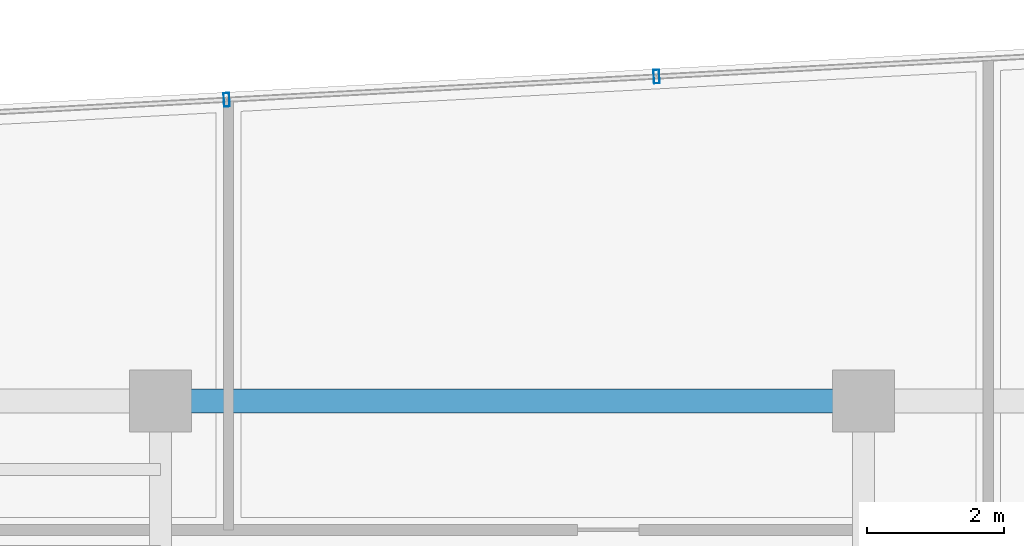
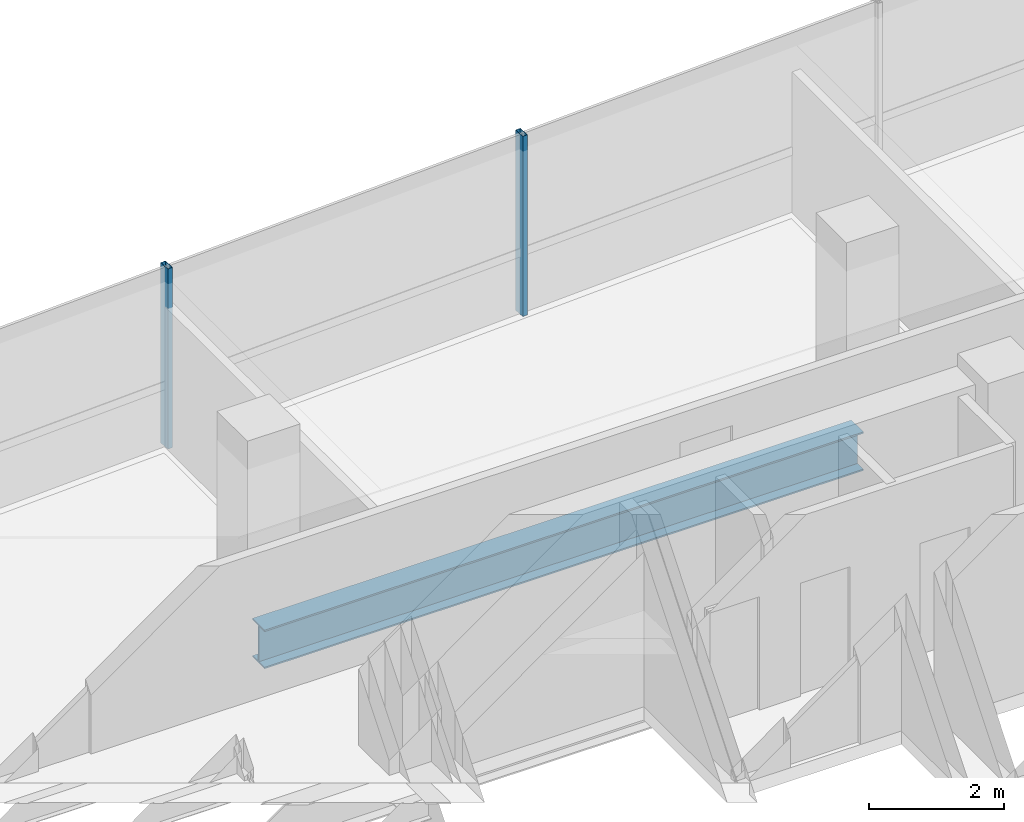
# One storey, part 13 of 21: 2 members, 1 beam, 1 element without a shape of its own.
"""IFC4 building model written with IfcOpenShell, lengths in metres."""

from ifc_helpers import new_model, si_unit, direction, frame, origin, origin_2d, place, context, subcontext, project, spatial, hollow_rectangle, i_section, extrude, source, transform, mapped, material, material_profile, profile_set, type_object, element, aggregate, save


model = new_model("IFC4")

# Units and contexts
model_context = context("Model", 3, precision=1e-05, world=origin(), true_north=direction((0.0, 1.0)))
body_context = subcontext(model_context, "Body", "Model", "MODEL_VIEW")
ifc_project = project(units=[si_unit("LENGTHUNIT", "METRE"), si_unit("AREAUNIT", "SQUARE_METRE"), si_unit("VOLUMEUNIT", "CUBIC_METRE"), si_unit("PLANEANGLEUNIT", "RADIAN"), si_unit("MASSUNIT", "GRAM", prefix="KILO")], contexts=[model_context])

# Site, building, storey
site_placement = place(None, origin())
site = spatial("IfcSite", under=ifc_project, at=site_placement, CompositionType="ELEMENT")
building_placement = place(site_placement, origin())
building = spatial("IfcBuilding", under=site, at=building_placement, Name="Valdorenza Pilgrim Sanctuary Tower", CompositionType="ELEMENT")
storey_placement = place(building_placement, frame((0.0, 0.0, 223.0)))
storey = spatial("IfcBuildingStorey", under=building, at=storey_placement, Name="L57", CompositionType="ELEMENT", Elevation=223.0)

# Beam
ifc_material_1 = material(Name="Steel ASTM A992 Grade 50", Category="steel")
ifc_material_profile_1 = material_profile(ifc_material_1, i_section(OverallWidth=0.35595703125, OverallDepth=0.700927734375, WebThickness=0.016845703125, FlangeThickness=0.02734375, at=origin_2d()), Name="W27X161")
ifc_profile_set_1 = profile_set([ifc_material_profile_1], Name="Steel ASTM A992 Grade 50")
beam_type = type_object("IfcBeamType", Name="STR-BM-GRD-W27", PredefinedType="BEAM", material=ifc_profile_set_1)
shared_shape_1 = source(origin(), body_context, "Body", "SweptSolid", [
    extrude(i_section(OverallWidth=0.35595703125, OverallDepth=0.700927734375, WebThickness=0.016845703125, FlangeThickness=0.02734375, at=origin_2d()), origin(), (0.0, 0.0, 1.0), 10.25),
])
beam_placement = place(storey_placement, frame((-22.64990234375, 14.800048828125, -0.590576171875), z_axis=(1.0, 0.0, 0.0), x_axis=(0.0, 1.0, 0.0)))
element("IfcBeam", 1, at=beam_placement, inside=storey, type_object=beam_type, Name="L57 Floor Girder CA-XC-N2", PredefinedType="BEAM", context=body_context, shape_type="MappedRepresentation", body=[
    mapped(shared_shape_1, transform((0.0, 0.0, 0.0), x_axis=(1.0, 0.0, 0.0), y_axis=(0.0, 1.0, 0.0), z_axis=(0.0, 0.0, 1.0), scale=1.0)),
])

# Curtain wall, members
ifc_material_2 = material(Name="Curtain-wall IGU glazing", Category="glass")
curtain_wall_type = type_object("IfcCurtainWallType", Name="CW-SYS-02", PredefinedType="NOTDEFINED", material=ifc_material_2)
curtain_wall_placement = place(storey_placement, origin())
curtain_wall = element("IfcCurtainWall", 2, at=curtain_wall_placement, inside=storey, type_object=curtain_wall_type, Name="L57 Curtain Wall CW-L57-1-6", PredefinedType="NOTDEFINED")
ifc_material_3 = material(Name="Anodised aluminium AW-6060", Category="aluminium")
ifc_material_profile_2 = material_profile(ifc_material_3, hollow_rectangle(XDim=0.0849609375, YDim=0.199951171875, WallThickness=0.0048828125, at=origin_2d()), Name="ALU-M 200x85x5")
ifc_profile_set_2 = profile_set([ifc_material_profile_2], Name="Anodised aluminium AW-6060")
member_type = type_object("IfcMemberType", Name="CW-MUL-02", PredefinedType="MULLION", material=ifc_profile_set_2)
shared_shape_2 = source(origin(), body_context, "Body", "SweptSolid", [
    extrude(hollow_rectangle(XDim=0.0849609375, YDim=0.199951171875, WallThickness=0.0048828125, at=origin_2d()), origin(), (0.0, 0.0, 1.0), 3.260009765625),
])
member_1_placement = place(storey_placement, frame((-21.686279296875, 19.1923828125, 0.0), z_axis=(0.0, 0.0, 1.0), x_axis=(0.998547034311, 0.053887106711, 0.0)))
member_1 = element("IfcMember", 3, at=member_1_placement, type_object=member_type, Name="CW-L57-1-6 Mullion 2", PredefinedType="MULLION", context=body_context, shape_type="MappedRepresentation", body=[
    mapped(shared_shape_2, transform((0.0, 0.0, 0.0), x_axis=(1.0, 0.0, 0.0), y_axis=(0.0, 1.0, 0.0), z_axis=(0.0, 0.0, 1.0), scale=1.0)),
])
member_2_placement = place(storey_placement, frame((-15.4169921875, 19.531005859375, 0.0), z_axis=(0.0, 0.0, 1.0), x_axis=(0.998547034311, 0.053887106711, 0.0)))
member_2 = element("IfcMember", 4, at=member_2_placement, type_object=member_type, Name="CW-L57-1-6 Mullion 3", PredefinedType="MULLION", context=body_context, shape_type="MappedRepresentation", body=[
    mapped(shared_shape_2, transform((0.0, 0.0, 0.0), x_axis=(1.0, 0.0, 0.0), y_axis=(0.0, 1.0, 0.0), z_axis=(0.0, 0.0, 1.0), scale=1.0)),
])
aggregate(curtain_wall, [member_1, member_2])

save(model, "model.ifc")
